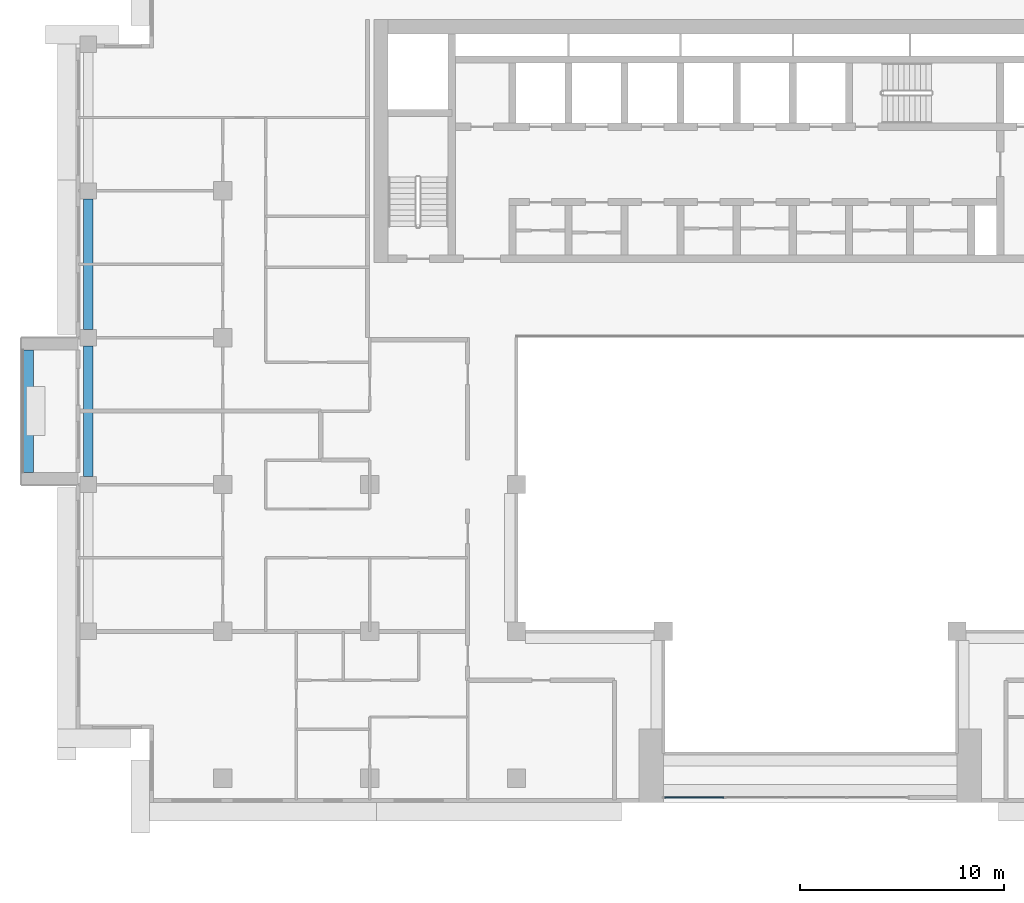
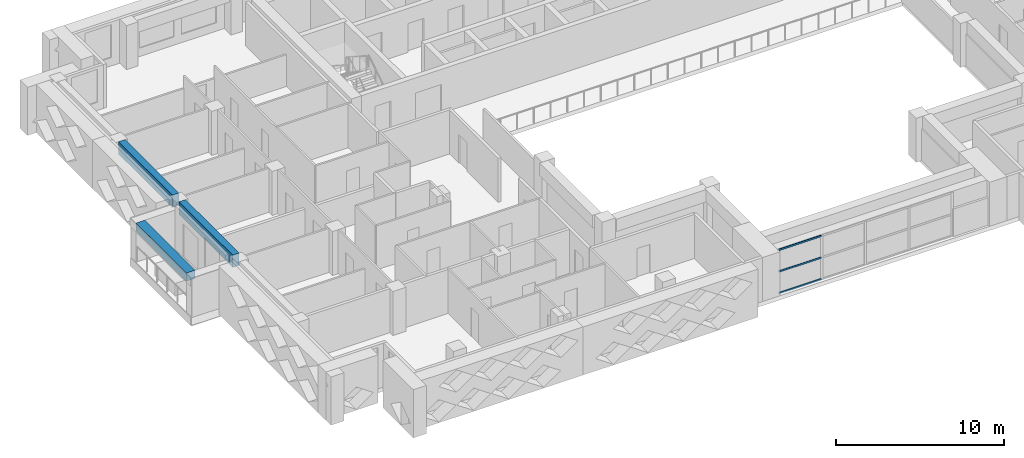
# One storey, part 3 of 20: 3 beams, 3 members, 1 element without a shape of its own.
"""IFC4 building model written with IfcOpenShell, lengths in metres."""

from ifc_helpers import new_model, si_unit, direction, frame, origin, origin_2d, place, context, subcontext, project, spatial, rectangle, extrude, source, transform, mapped, material, layer, layer_set, material_profile, profile_set, type_object, element, aggregate, save


model = new_model("IFC4")

# Units and contexts
model_context = context("Model", 3, precision=1e-05, world=origin(), true_north=direction((0.0, 1.0)))
body_context = subcontext(model_context, "Body", "Model", "MODEL_VIEW")
ifc_project = project(units=[si_unit("LENGTHUNIT", "METRE"), si_unit("AREAUNIT", "SQUARE_METRE"), si_unit("VOLUMEUNIT", "CUBIC_METRE"), si_unit("PLANEANGLEUNIT", "RADIAN"), si_unit("MASSUNIT", "GRAM", prefix="KILO")], contexts=[model_context])

# Site, building, storey
site_placement = place(None, origin())
site = spatial("IfcSite", under=ifc_project, at=site_placement, CompositionType="ELEMENT")
building_placement = place(site_placement, origin())
building = spatial("IfcBuilding", under=site, at=building_placement, Name="Saffron Iwan Residences", CompositionType="ELEMENT")
storey_placement = place(building_placement, frame((0.0, 0.0, 185.0)))
storey = spatial("IfcBuildingStorey", under=building, at=storey_placement, Name="L49", CompositionType="ELEMENT", Elevation=185.0)

# Beams
ifc_material_1 = material(Name="Concrete C50/60", Category="concrete")
ifc_material_profile_1 = material_profile(ifc_material_1, rectangle(XDim=0.449951171875, YDim=0.89990234375, at=origin_2d()), Name="RC 450x900")
ifc_profile_set_1 = profile_set([ifc_material_profile_1], Name="Concrete C50/60")
beam_type_1 = type_object("IfcBeamType", Name="SPANDREL BEAM RC 450x900 C50/60 TOP 3200", PredefinedType="SPANDREL", material=ifc_profile_set_1)
shared_shape_1 = source(origin(), body_context, "Body", "SweptSolid", [
    extrude(rectangle(XDim=0.449951171875, YDim=0.89990234375, at=origin_2d()), origin(), (0.0, 0.0, 1.0), 6.39990234375),
])
for number, where, z_axis, x_axis, name in (
    (1, (15.0, 55.60009765625, 2.75), (0.0, 1.0, 0.0), (-1.0, 0.0, 0.0), "Spandrel beam"),
    (2, (15.0, 62.800048828125, 2.75), (0.0, 1.0, 0.0), (-1.0, 0.0, 0.0), "Spandrel beam"),
):
    element("IfcBeam", number, at=place(storey_placement, frame(where, z_axis=z_axis, x_axis=x_axis)), inside=storey, type_object=beam_type_1, Name=name, PredefinedType="SPANDREL", context=body_context, shape_type="MappedRepresentation", body=[
        mapped(shared_shape_1, transform((0.0, 0.0, 0.0))),
    ])

# Curtain wall, members
ifc_material_2 = material(Name="Clear glass, laminated double glazed", Category="glass")
ifc_layer = layer(ifc_material_2, 0.199951171875)
ifc_layer_set = layer_set([ifc_layer], Name="Clear glass, laminated double glazed")
curtain_wall_type = type_object("IfcCurtainWallType", Name="CW-B IWAN PORTAL", PredefinedType="NOTDEFINED", material=ifc_layer_set)
curtain_wall_placement = place(storey_placement, origin())
curtain_wall = element("IfcCurtainWall", 3, at=curtain_wall_placement, inside=storey, type_object=curtain_wall_type, Name="Iwan portal glazing L49.1", PredefinedType="NOTDEFINED")
ifc_material_3 = material(Name="Aluminium 6063-T6", Category="aluminium")
ifc_material_profile_2 = material_profile(ifc_material_3, rectangle(XDim=0.06005859375, YDim=0.1201171875, at=origin_2d()), Name="CW-B TRANSOM 60 x 120")
ifc_profile_set_2 = profile_set([ifc_material_profile_2], Name="Aluminium 6063-T6")
member_type = type_object("IfcMemberType", Name="CW-B TRANSOM 60 x 120", PredefinedType="USERDEFINED", material=ifc_profile_set_2)
shared_shape_2 = source(origin(), body_context, "Body", "SweptSolid", [
    extrude(rectangle(XDim=0.06005859375, YDim=0.1201171875, at=origin_2d()), origin(), (0.0, 0.0, 1.0), 2.909912109375),
])
member_1_placement = place(storey_placement, frame((43.260009765625, 39.85009765625, 0.030029296875), z_axis=(1.0, 0.0, 0.0), x_axis=(0.0, 1.0, 0.0)))
member_1 = element("IfcMember", 4, at=member_1_placement, type_object=member_type, Name="CW-B transom 1.1", ObjectType="TRANSOM", PredefinedType="USERDEFINED", context=body_context, shape_type="MappedRepresentation", body=[
    mapped(shared_shape_2, transform((0.0, 0.0, 0.0))),
])
member_2_placement = place(storey_placement, frame((43.260009765625, 39.85009765625, 1.60009765625), z_axis=(1.0, 0.0, 0.0), x_axis=(0.0, 1.0, 0.0)))
member_2 = element("IfcMember", 5, at=member_2_placement, type_object=member_type, Name="CW-B transom 1.2", ObjectType="TRANSOM", PredefinedType="USERDEFINED", context=body_context, shape_type="MappedRepresentation", body=[
    mapped(shared_shape_2, transform((0.0, 0.0, 0.0))),
])
member_3_placement = place(storey_placement, frame((43.260009765625, 39.85009765625, 3.169921875), z_axis=(1.0, 0.0, 0.0), x_axis=(0.0, 1.0, 0.0)))
member_3 = element("IfcMember", 6, at=member_3_placement, type_object=member_type, Name="CW-B transom 1.3", ObjectType="TRANSOM", PredefinedType="USERDEFINED", context=body_context, shape_type="MappedRepresentation", body=[
    mapped(shared_shape_2, transform((0.0, 0.0, 0.0))),
])
aggregate(curtain_wall, [member_1, member_2, member_3])

# Beam
ifc_material_4 = material(Name="Concrete C50/60 white painted", Category="concrete")
ifc_material_profile_3 = material_profile(ifc_material_4, rectangle(XDim=0.60009765625, YDim=0.60009765625, at=origin_2d()), Name="BALCONY FASCIA BEAM 600 x 600")
ifc_profile_set_3 = profile_set([ifc_material_profile_3], Name="Concrete C50/60 white painted")
beam_type_2 = type_object("IfcBeamType", Name="BALCONY FASCIA BEAM 600 x 600", PredefinedType="BEAM", material=ifc_profile_set_3)
shared_shape_3 = source(origin(), body_context, "Body", "SweptSolid", [
    extrude(rectangle(XDim=0.60009765625, YDim=0.60009765625, at=origin_2d()), origin(), (0.0, 0.0, 1.0), 6.0),
])
beam_placement = place(storey_placement, frame((12.0, 61.800048828125, 2.550048828125), z_axis=(0.0, -1.0, 0.0), x_axis=(1.0, 0.0, 0.0)))
element("IfcBeam", 7, at=beam_placement, inside=storey, type_object=beam_type_2, Name="Balcony fascia beam L49 F8-0", PredefinedType="BEAM", context=body_context, shape_type="MappedRepresentation", body=[
    mapped(shared_shape_3, transform((0.0, 0.0, 0.0))),
])

save(model, "model.ifc")
